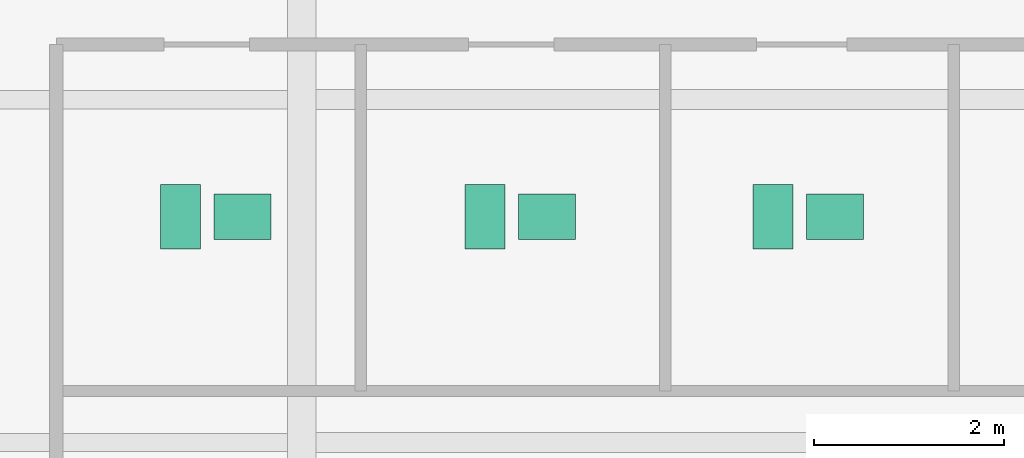
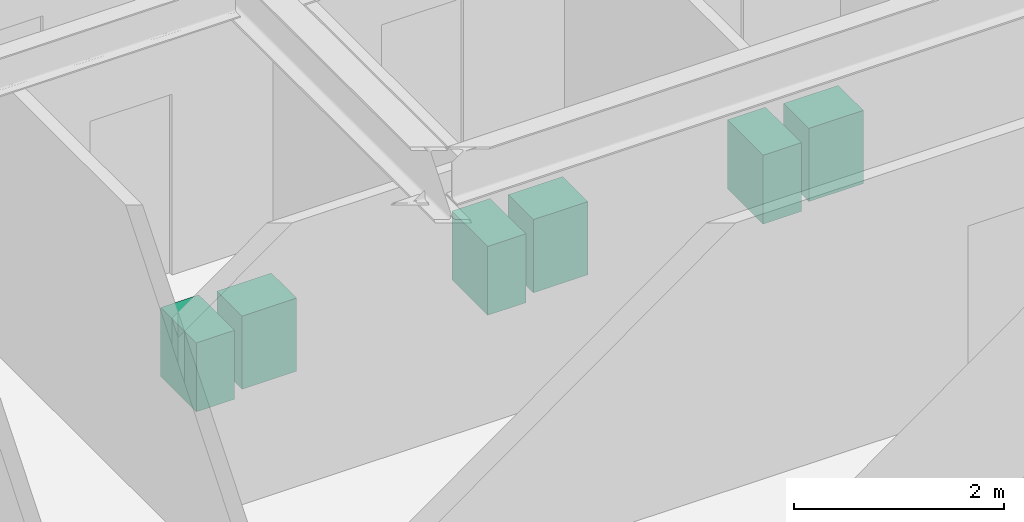
# One storey, part 28 of 28: 6 sanitary terminals.
"""IFC4 building model written with IfcOpenShell, lengths in metres."""

from ifc_helpers import new_model, si_unit, direction, frame, origin, origin_2d, place, context, subcontext, project, spatial, rectangle, extrude, source, transform, mapped, material, type_object, type_shapes, element, save


model = new_model("IFC4")

# Units and contexts
model_context = context("Model", 3, precision=1e-05, world=origin(), true_north=direction((0.0, 1.0)))
body_context = subcontext(model_context, "Body", "Model", "MODEL_VIEW")
ifc_project = project(units=[si_unit("LENGTHUNIT", "METRE"), si_unit("AREAUNIT", "SQUARE_METRE"), si_unit("VOLUMEUNIT", "CUBIC_METRE"), si_unit("PLANEANGLEUNIT", "RADIAN"), si_unit("MASSUNIT", "GRAM", prefix="KILO")], contexts=[model_context])

# Site, building, storey
site_placement = place(None, origin())
site = spatial("IfcSite", under=ifc_project, at=site_placement, CompositionType="ELEMENT")
building_placement = place(site_placement, origin())
building = spatial("IfcBuilding", under=site, at=building_placement, Name="Krantzveldt Concourse Tower", CompositionType="ELEMENT")
storey_placement = place(building_placement, frame((0.0, 0.0, 28.949951171875)))
storey = spatial("IfcBuildingStorey", under=building, at=storey_placement, Name="L06", CompositionType="ELEMENT", Elevation=28.949951171875)

# Sanitary terminals
ifc_material = material(Name="Vitreous china", Category="ceramic")
sanitary_terminal_type_1 = type_object("IfcSanitaryTerminalType", Name="SAN-WC-SUITE", PredefinedType="TOILETPAN", material=ifc_material)
shared_shape_1 = source(origin(), body_context, "Body", "SweptSolid", [
    extrude(rectangle(XDim=0.419921875, YDim=0.679931640625, at=origin_2d()), origin(), (0.0, 0.0, 1.0), 0.800048828125),
])
type_shapes(sanitary_terminal_type_1, [shared_shape_1])
for number, where, z_axis, x_axis, name in (
    (1, (29.324951171875, 32.570068359375, 0.0), (0.0, 0.0, 1.0), (1.0, 0.0, 0.0), "WC-SP-L06-WCM"),
    (2, (32.52490234375, 32.570068359375, 0.0), (0.0, 0.0, 1.0), (1.0, 0.0, 0.0), "WC-SP-L06-WCF"),
    (3, (35.550048828125, 32.570068359375, 0.0), (0.0, 0.0, 1.0), (1.0, 0.0, 0.0), "WC-SP-L06-WCA"),
):
    element("IfcSanitaryTerminal", number, at=place(storey_placement, frame(where, z_axis=z_axis, x_axis=x_axis)), inside=storey, type_object=sanitary_terminal_type_1, Name=name, PredefinedType="TOILETPAN", context=body_context, shape_type="MappedRepresentation", body=[
        mapped(shared_shape_1, transform((0.0, 0.0, 0.0), x_axis=(1.0, 0.0, 0.0), y_axis=(0.0, 1.0, 0.0), z_axis=(0.0, 0.0, 1.0), scale=1.0)),
    ])
sanitary_terminal_type_2 = type_object("IfcSanitaryTerminalType", Name="SAN-BASIN-600", PredefinedType="WASHHANDBASIN", material=ifc_material)
shared_shape_2 = source(origin(), body_context, "Body", "SweptSolid", [
    extrude(rectangle(XDim=0.60009765625, YDim=0.47998046875, at=origin_2d()), origin(), (0.0, 0.0, 1.0), 0.85009765625),
])
type_shapes(sanitary_terminal_type_2, [shared_shape_2])
for number, where, z_axis, x_axis, name in (
    (4, (29.97509765625, 32.570068359375, 0.0048828125), (0.0, 0.0, 1.0), (1.0, 0.0, 0.0), "BSN-SP-L06-WCM"),
    (5, (33.175048828125, 32.570068359375, 0.0048828125), (0.0, 0.0, 1.0), (1.0, 0.0, 0.0), "BSN-SP-L06-WCF"),
    (6, (36.199951171875, 32.570068359375, 0.0048828125), (0.0, 0.0, 1.0), (1.0, 0.0, 0.0), "BSN-SP-L06-WCA"),
):
    element("IfcSanitaryTerminal", number, at=place(storey_placement, frame(where, z_axis=z_axis, x_axis=x_axis)), inside=storey, type_object=sanitary_terminal_type_2, Name=name, PredefinedType="WASHHANDBASIN", context=body_context, shape_type="MappedRepresentation", body=[
        mapped(shared_shape_2, transform((0.0, 0.0, 0.0), x_axis=(1.0, 0.0, 0.0), y_axis=(0.0, 1.0, 0.0), z_axis=(0.0, 0.0, 1.0), scale=1.0)),
    ])

save(model, "model.ifc")
